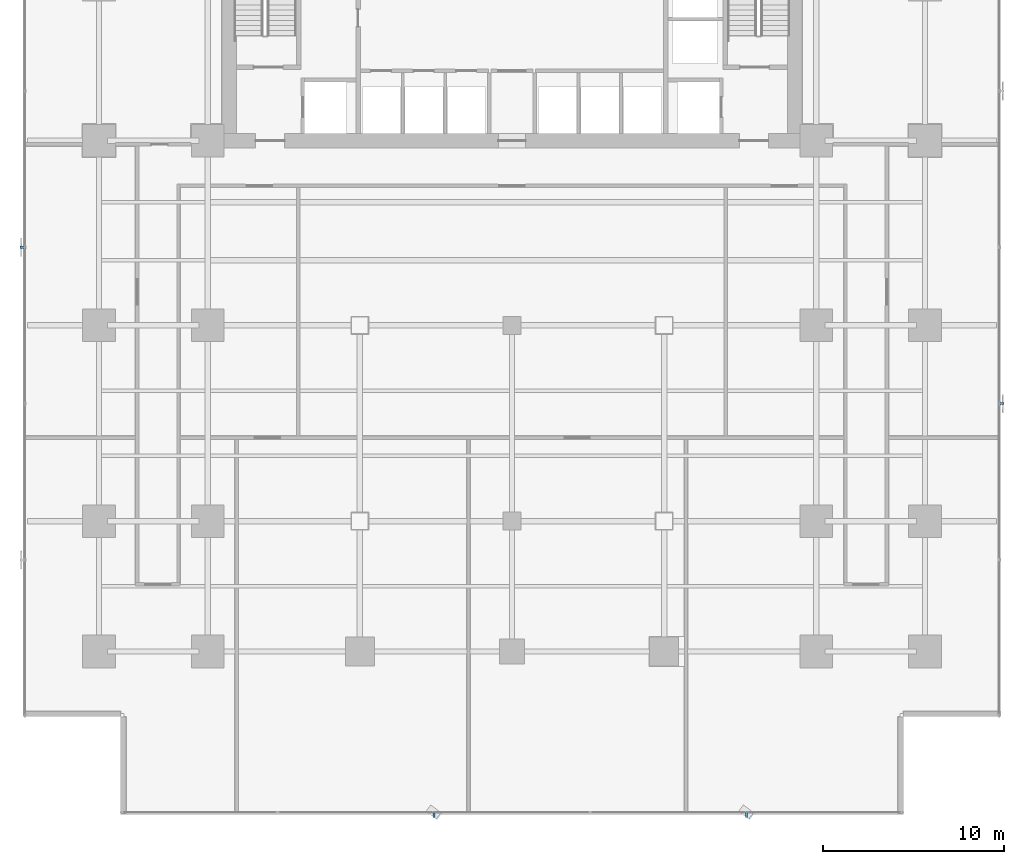
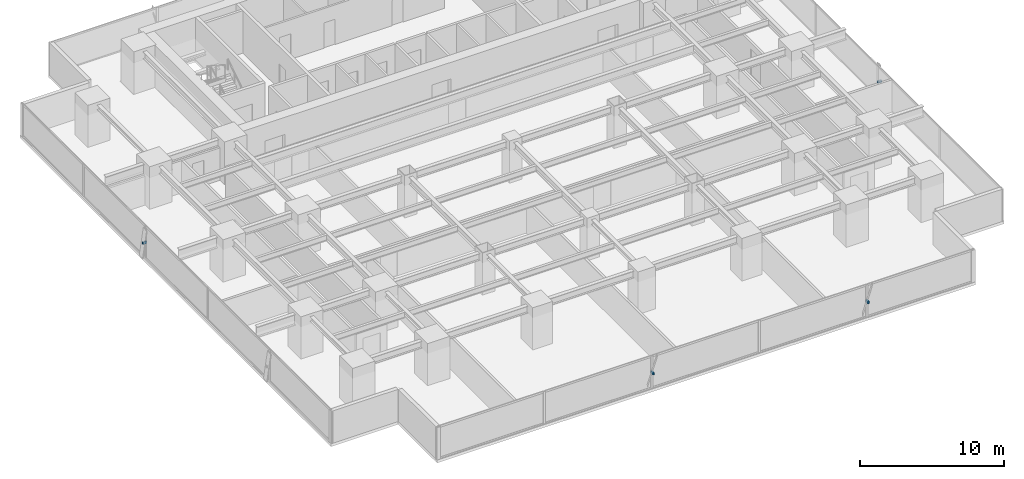
# One storey, part 27 of 33: 4 discrete accessories.
"""IFC4 building model written with IfcOpenShell, lengths in metres."""

from ifc_helpers import new_model, si_unit, direction, frame, origin, origin_2d, place, context, subcontext, project, spatial, rectangle, extrude, source, transform, mapped, material, material_profile, profile_set, type_object, element, save


model = new_model("IFC4")

# Units and contexts
model_context = context("Model", 3, precision=1e-05, world=origin(), true_north=direction((0.0, 1.0)))
body_context = subcontext(model_context, "Body", "Model", "MODEL_VIEW")
ifc_project = project(units=[si_unit("LENGTHUNIT", "METRE"), si_unit("AREAUNIT", "SQUARE_METRE"), si_unit("VOLUMEUNIT", "CUBIC_METRE"), si_unit("PLANEANGLEUNIT", "RADIAN"), si_unit("MASSUNIT", "GRAM", prefix="KILO")], contexts=[model_context])

# Site, building, storey
site_placement = place(None, origin())
site = spatial("IfcSite", under=ifc_project, at=site_placement, CompositionType="ELEMENT")
building_placement = place(site_placement, origin())
building = spatial("IfcBuilding", under=site, at=building_placement, Name="Sumidabori Civic Tower", CompositionType="ELEMENT")
storey_placement = place(building_placement, frame((0.0, 0.0, 63.199951171875)))
storey = spatial("IfcBuildingStorey", under=building, at=storey_placement, Name="L16", CompositionType="ELEMENT", Elevation=63.199951171875)

# Discrete accessories
ifc_material = material(Name="Stainless Steel Hairline Finish", Category="steel")
ifc_material_profile = material_profile(ifc_material, rectangle(XDim=0.1201171875, YDim=0.179931640625, at=origin_2d()), Name="STEEL BRACKET 180x120")
ifc_profile_set = profile_set([ifc_material_profile], Name="Stainless Steel Hairline Finish")
discrete_accessory_type = type_object("IfcDiscreteAccessoryType", Name="AC-BRK-180", PredefinedType="BRACKET", material=ifc_profile_set)
shared_shape = source(origin(), body_context, "Body", "SweptSolid", [
    extrude(rectangle(XDim=0.1201171875, YDim=0.179931640625, at=origin_2d()), origin(), (0.0, 0.0, 1.0), 0.329833984375),
])
for number, where, z_axis, x_axis, name in (
    (1, (-4.31396484375, -26.830078125, 1.360107421875), (0.0, -1.0, 0.0), (1.0, 0.0, 0.0), "Bronze Fin Fixing Bracket L16-02"),
    (2, (12.94189453125, -26.830078125, 1.360107421875), (0.0, -1.0, 0.0), (1.0, 0.0, 0.0), "Bronze Fin Fixing Bracket L16-04"),
    (3, (26.830078125, -4.31396484375, 1.360107421875), (1.0, 0.0, 0.0), (0.0, 1.0, 0.0), "Bronze Fin Fixing Bracket L16-02"),
    (4, (-26.830078125, 4.31396484375, 1.360107421875), (-1.0, 0.0, 0.0), (0.0, -1.0, 0.0), "Bronze Fin Fixing Bracket L16-02"),
):
    element("IfcDiscreteAccessory", number, at=place(storey_placement, frame(where, z_axis=z_axis, x_axis=x_axis)), inside=storey, type_object=discrete_accessory_type, Name=name, PredefinedType="BRACKET", context=body_context, shape_type="MappedRepresentation", body=[
        mapped(shared_shape, transform((0.0, 0.0, 0.0), x_axis=(1.0, 0.0, 0.0), y_axis=(0.0, 1.0, 0.0), z_axis=(0.0, 0.0, 1.0), scale=1.0)),
    ])

save(model, "model.ifc")
